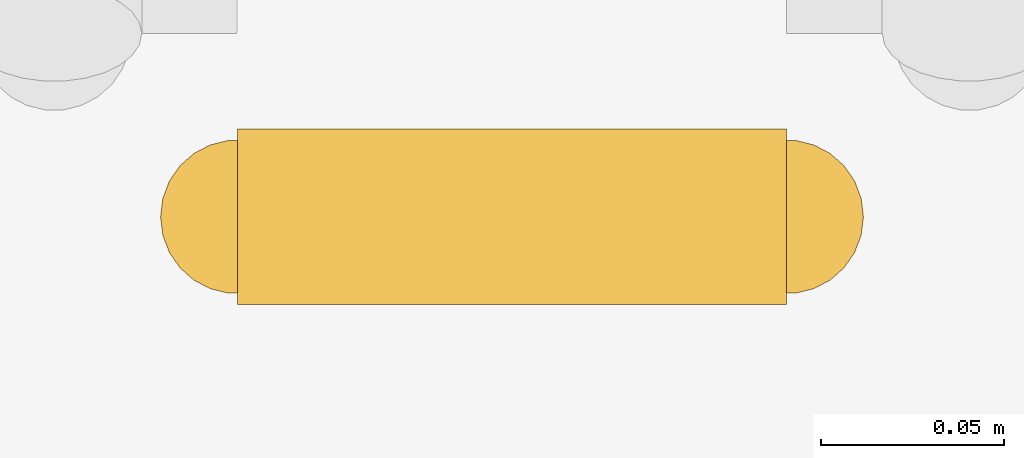
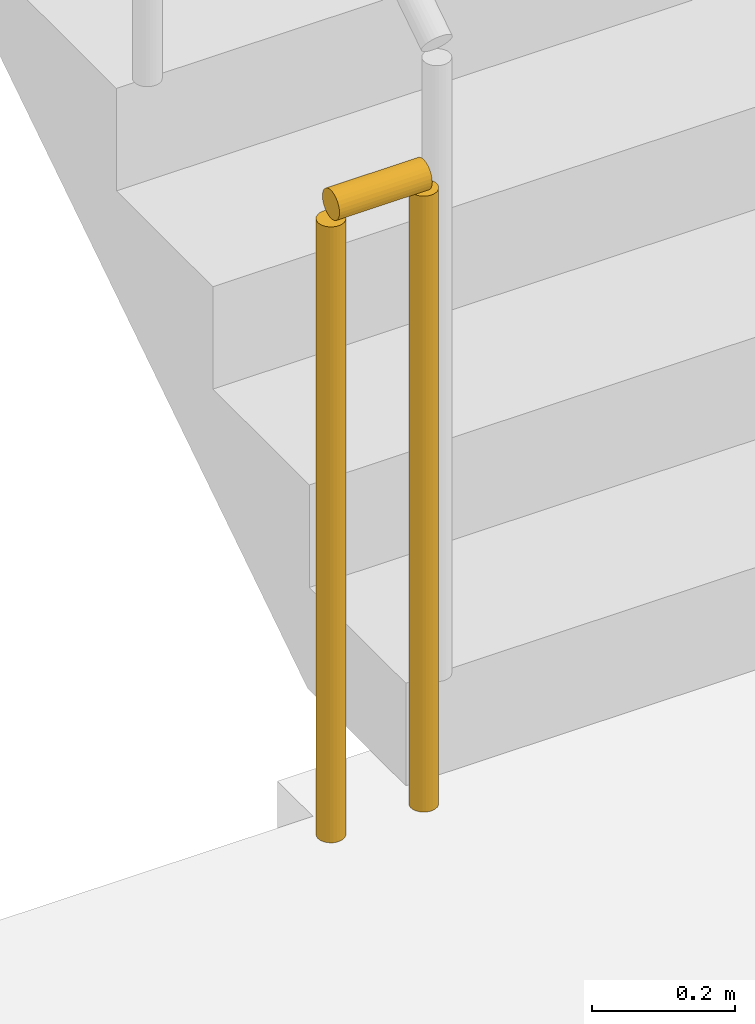
# One storey, part 14 of 19: 1 railing.
"""IFC4 building model written with IfcOpenShell, lengths in metres."""

from ifc_helpers import new_model, si_unit, direction, frame, origin, origin_2d, place, context, subcontext, project, spatial, circle, extrude, material, type_object, element, save


model = new_model("IFC4")

# Units and contexts
model_context = context("Model", 3, precision=1e-05, world=origin(), true_north=direction((0.0, 1.0)))
body_context = subcontext(model_context, "Body", "Model", "MODEL_VIEW")
ifc_project = project(units=[si_unit("LENGTHUNIT", "METRE"), si_unit("AREAUNIT", "SQUARE_METRE"), si_unit("VOLUMEUNIT", "CUBIC_METRE"), si_unit("PLANEANGLEUNIT", "RADIAN"), si_unit("MASSUNIT", "GRAM", prefix="KILO")], contexts=[model_context])

# Site, building, storey
site_placement = place(None, origin())
site = spatial("IfcSite", under=ifc_project, at=site_placement, CompositionType="ELEMENT")
building_placement = place(site_placement, origin())
building = spatial("IfcBuilding", under=site, at=building_placement, Name="Saffron Iwan Residences", CompositionType="ELEMENT")
storey_placement = place(building_placement, frame((0.0, 0.0, 116.5)))
storey = spatial("IfcBuildingStorey", under=building, at=storey_placement, Name="L30", CompositionType="ELEMENT", Elevation=116.5)

# Railing
ifc_material = material(Name="Steel S355", Category="steel")
railing_type = type_object("IfcRailingType", Name="Stair guard 1100", PredefinedType="GUARDRAIL", material=ifc_material)
railing_placement = place(storey_placement, frame((31.25, 67.800048828125, 0.0)))
element("IfcRailing", 1, at=railing_placement, inside=storey, type_object=railing_type, Name="L30 ST-W stair guard 2", PredefinedType="GUARDRAIL", context=body_context, shape_type="SweptSolid", body=[
    extrude(circle(Radius=0.02392578125, at=origin_2d()), frame((0.0, 0.0, 1.076171875), z_axis=(-1.0, 0.0, 0.0), x_axis=(0.0, -1.0, 0.0)), (0.0, 0.0, 1.0), 0.14990234375),
    extrude(circle(Radius=0.02099609375, at=origin_2d()), origin(), (0.0, 0.0, 1.0), 1.052001953125),
    extrude(circle(Radius=0.02099609375, at=origin_2d()), frame((-0.14990234375, 0.0, 0.0)), (0.0, 0.0, 1.0), 1.052001953125),
])

save(model, "model.ifc")
